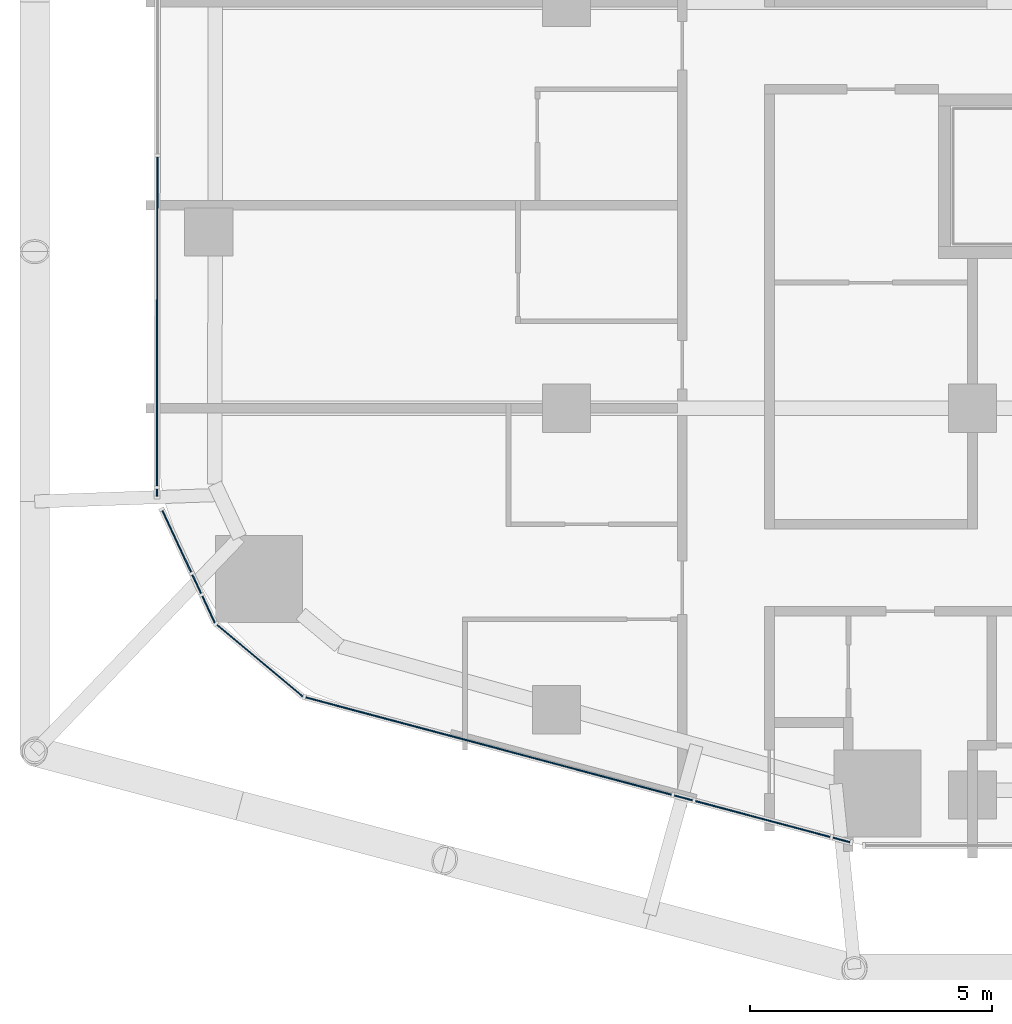
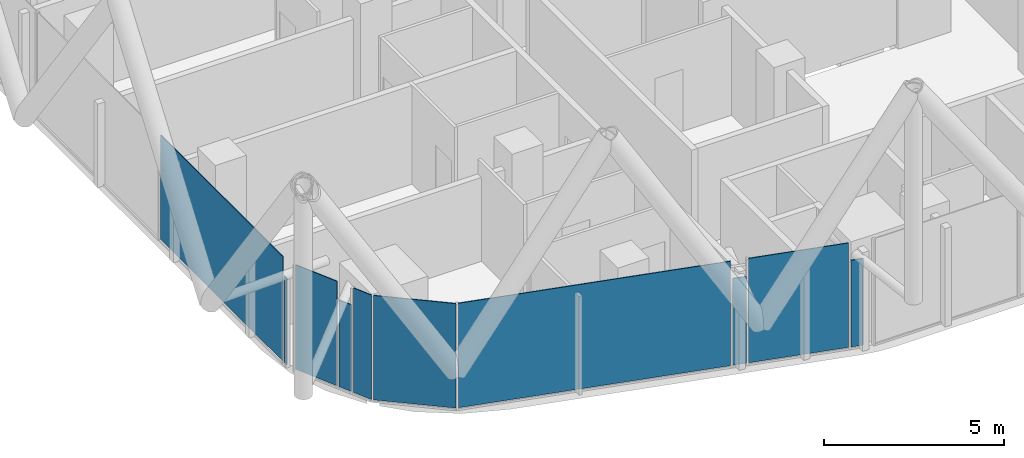
# One storey, part 19 of 38: 10 plates, 10 elements without a shape of their own.
"""IFC4 building model written with IfcOpenShell, lengths in metres."""

from ifc_helpers import new_model, si_unit, direction, frame, origin, origin_2d, place, context, subcontext, project, spatial, rectangle, extrude, material, layer, layer_set, type_object, element, aggregate, save


model = new_model("IFC4")

# Units and contexts
model_context = context("Model", 3, precision=1e-05, world=origin(), true_north=direction((0.0, 1.0)))
body_context = subcontext(model_context, "Body", "Model", "MODEL_VIEW")
ifc_project = project(units=[si_unit("LENGTHUNIT", "METRE"), si_unit("AREAUNIT", "SQUARE_METRE"), si_unit("VOLUMEUNIT", "CUBIC_METRE"), si_unit("PLANEANGLEUNIT", "RADIAN"), si_unit("MASSUNIT", "GRAM", prefix="KILO")], contexts=[model_context])

# Site, building, storey
site_placement = place(None, origin())
site = spatial("IfcSite", under=ifc_project, at=site_placement, CompositionType="ELEMENT")
building_placement = place(site_placement, origin())
building = spatial("IfcBuilding", under=site, at=building_placement, Name="Marenta Gate Hotel Tower", CompositionType="ELEMENT")
storey_placement = place(building_placement, frame((0.0, 0.0, 40.10009765625)))
storey = spatial("IfcBuildingStorey", under=building, at=storey_placement, Name="L07", CompositionType="ELEMENT", Elevation=40.10009765625)

# Curtain wall, plate
ifc_material_1 = material(Name="Tinted insulated glass in bronze anodised frame", Category="glass")
ifc_layer_1 = layer(ifc_material_1, 0.1201171875)
ifc_layer_set_1 = layer_set([ifc_layer_1], Name="Tinted insulated glass in bronze anodised frame")
curtain_wall_type = type_object("IfcCurtainWallType", Name="Tower unitised curtain wall CW1", PredefinedType="NOTDEFINED", material=ifc_layer_set_1)
curtain_wall_1_placement = place(storey_placement, origin())
curtain_wall_1 = element("IfcCurtainWall", 1, at=curtain_wall_1_placement, inside=storey, type_object=curtain_wall_type, Name="CW1 run G08", PredefinedType="NOTDEFINED")
ifc_material_2 = material(Name="Tinted insulated glass", Category="glass")
ifc_layer_2 = layer(ifc_material_2, 0.028076171875)
ifc_layer_set_2 = layer_set([ifc_layer_2], Name="Tinted insulated glass")
plate_type = type_object("IfcPlateType", Name="Glass panel CW1 28 mm tinted insulated unit", PredefinedType="CURTAIN_PANEL", material=ifc_layer_set_2)
plate_1_placement = place(storey_placement, frame((-29.467529296875, -6.60888671875, 0.059814453125), z_axis=(0.0, 0.0, 1.0), x_axis=(-0.00156461532, -0.999998775989, 0.0)))
plate_1 = element("IfcPlate", 2, at=plate_1_placement, type_object=plate_type, Name="CW1 panel 3.1", PredefinedType="CURTAIN_PANEL", context=body_context, shape_type="SweptSolid", body=[
    extrude(rectangle(XDim=6.80859375, YDim=0.028076171875, at=origin_2d()), origin(), (0.0, 0.0, 1.0), 3.5400390625),
])
aggregate(curtain_wall_1, [plate_1])

curtain_wall_2_placement = place(storey_placement, origin())
curtain_wall_2 = element("IfcCurtainWall", 3, at=curtain_wall_2_placement, inside=storey, type_object=curtain_wall_type, Name="CW1 run G09", PredefinedType="NOTDEFINED")
plate_2_placement = place(storey_placement, frame((-29.47314453125, -10.144775390625, 0.06005859375), z_axis=(0.0, 0.0, 1.0), x_axis=(-0.001523227487, -0.999998839888, 0.0)))
plate_2 = element("IfcPlate", 4, at=plate_2_placement, type_object=plate_type, Name="CW1 panel 1.1", PredefinedType="CURTAIN_PANEL", context=body_context, shape_type="SweptSolid", body=[
    extrude(rectangle(XDim=0.142578125, YDim=0.028076171875, at=origin_2d()), origin(), (0.0, 0.0, 1.0), 2.9404296875),
])
aggregate(curtain_wall_2, [plate_2])

curtain_wall_3_placement = place(storey_placement, origin())
curtain_wall_3 = element("IfcCurtainWall", 5, at=curtain_wall_3_placement, inside=storey, type_object=curtain_wall_type, Name="CW1 run G10", PredefinedType="NOTDEFINED")
plate_3_placement = place(storey_placement, frame((-29.0625, -11.15478515625, 0.059814453125), z_axis=(0.0, 0.0, 1.0), x_axis=(0.423374568314, -0.905954731156, 0.0)))
plate_3 = element("IfcPlate", 6, at=plate_3_placement, type_object=plate_type, Name="CW1 panel 1.1", PredefinedType="CURTAIN_PANEL", context=body_context, shape_type="SweptSolid", body=[
    extrude(rectangle(XDim=1.406005859375, YDim=0.028076171875, at=origin_2d()), origin(), (0.0, 0.0, 1.0), 3.5400390625),
])
aggregate(curtain_wall_3, [plate_3])

curtain_wall_4_placement = place(storey_placement, origin())
curtain_wall_4 = element("IfcCurtainWall", 7, at=curtain_wall_4_placement, inside=storey, type_object=curtain_wall_type, Name="CW1 run G11", PredefinedType="NOTDEFINED")
plate_4_placement = place(storey_placement, frame((-28.6494140625, -12.0390625, 0.06005859375), z_axis=(0.0, 0.0, 1.0), x_axis=(0.423268429691, -0.906004324729, 0.0)))
plate_4 = element("IfcPlate", 8, at=plate_4_placement, type_object=plate_type, Name="CW1 panel 1.1", PredefinedType="CURTAIN_PANEL", context=body_context, shape_type="SweptSolid", body=[
    extrude(rectangle(XDim=0.426025390625, YDim=0.028076171875, at=origin_2d()), origin(), (0.0, 0.0, 1.0), 2.9404296875),
])
aggregate(curtain_wall_4, [plate_4])

curtain_wall_5_placement = place(storey_placement, origin())
curtain_wall_5 = element("IfcCurtainWall", 9, at=curtain_wall_5_placement, inside=storey, type_object=curtain_wall_type, Name="CW1 run G12", PredefinedType="NOTDEFINED")
plate_5_placement = place(storey_placement, frame((-28.404052734375, -12.564208984375, 0.059814453125), z_axis=(0.0, 0.0, 1.0), x_axis=(0.423397949235, -0.905943804319, 0.0)))
plate_5 = element("IfcPlate", 10, at=plate_5_placement, type_object=plate_type, Name="CW1 panel 1.1", PredefinedType="CURTAIN_PANEL", context=body_context, shape_type="SweptSolid", body=[
    extrude(rectangle(XDim=0.61279296875, YDim=0.028076171875, at=origin_2d()), origin(), (0.0, 0.0, 1.0), 3.5400390625),
])
aggregate(curtain_wall_5, [plate_5])

curtain_wall_6_placement = place(storey_placement, origin())
curtain_wall_6 = element("IfcCurtainWall", 11, at=curtain_wall_6_placement, inside=storey, type_object=curtain_wall_type, Name="CW1 run G13", PredefinedType="NOTDEFINED")
plate_6_placement = place(storey_placement, frame((-27.33984375, -13.623291015625, 0.059814453125), z_axis=(0.0, 0.0, 1.0), x_axis=(0.767113012445, -0.641511984407, 0.0)))
plate_6 = element("IfcPlate", 12, at=plate_6_placement, type_object=plate_type, Name="CW1 panel 1.1", PredefinedType="CURTAIN_PANEL", context=body_context, shape_type="SweptSolid", body=[
    extrude(rectangle(XDim=2.316650390625, YDim=0.028076171875, at=origin_2d()), origin(), (0.0, 0.0, 1.0), 3.5400390625),
])
aggregate(curtain_wall_6, [plate_6])

curtain_wall_7_placement = place(storey_placement, origin())
curtain_wall_7 = element("IfcCurtainWall", 13, at=curtain_wall_7_placement, inside=storey, type_object=curtain_wall_type, Name="CW1 run G14", PredefinedType="NOTDEFINED")
plate_7_placement = place(storey_placement, frame((-22.60986328125, -15.388427734375, 0.059814453125), z_axis=(0.0, 0.0, 1.0), x_axis=(0.96637300589, -0.257144343682, 0.0)))
plate_7 = element("IfcPlate", 14, at=plate_7_placement, type_object=plate_type, Name="CW1 panel 1.1", PredefinedType="CURTAIN_PANEL", context=body_context, shape_type="SweptSolid", body=[
    extrude(rectangle(XDim=7.830078125, YDim=0.028076171875, at=origin_2d()), origin(), (0.0, 0.0, 1.0), 3.5400390625),
])
aggregate(curtain_wall_7, [plate_7])

curtain_wall_8_placement = place(storey_placement, origin())
curtain_wall_8 = element("IfcCurtainWall", 15, at=curtain_wall_8_placement, inside=storey, type_object=curtain_wall_type, Name="CW1 run G15", PredefinedType="NOTDEFINED")
plate_8_placement = place(storey_placement, frame((-18.57861328125, -16.461181640625, 0.06005859375), z_axis=(0.0, 0.0, 1.0), x_axis=(0.966370359942, -0.257154287199, 0.0)))
plate_8 = element("IfcPlate", 16, at=plate_8_placement, type_object=plate_type, Name="CW1 panel 1.1", PredefinedType="CURTAIN_PANEL", context=body_context, shape_type="SweptSolid", body=[
    extrude(rectangle(XDim=0.39306640625, YDim=0.028076171875, at=origin_2d()), origin(), (0.0, 0.0, 1.0), 2.9404296875),
])
aggregate(curtain_wall_8, [plate_8])

curtain_wall_9_placement = place(storey_placement, origin())
curtain_wall_9 = element("IfcCurtainWall", 17, at=curtain_wall_9_placement, inside=storey, type_object=curtain_wall_type, Name="CW1 run G16", PredefinedType="NOTDEFINED")
plate_9_placement = place(storey_placement, frame((-16.937255859375, -16.89794921875, 0.059814453125), z_axis=(0.0, 0.0, 1.0), x_axis=(0.966375739081, -0.257134071867, 0.0)))
plate_9 = element("IfcPlate", 18, at=plate_9_placement, type_object=plate_type, Name="CW1 panel 1.1", PredefinedType="CURTAIN_PANEL", context=body_context, shape_type="SweptSolid", body=[
    extrude(rectangle(XDim=2.884033203125, YDim=0.028076171875, at=origin_2d()), origin(), (0.0, 0.0, 1.0), 3.5400390625),
])
aggregate(curtain_wall_9, [plate_9])

curtain_wall_10_placement = place(storey_placement, origin())
curtain_wall_10 = element("IfcCurtainWall", 19, at=curtain_wall_10_placement, inside=storey, type_object=curtain_wall_type, Name="CW1 run G17", PredefinedType="NOTDEFINED")
plate_10_placement = place(storey_placement, frame((-15.309814453125, -17.3310546875, 0.06005859375), z_axis=(0.0, 0.0, 1.0), x_axis=(0.966388993927, -0.257084251591, 0.0)))
plate_10 = element("IfcPlate", 20, at=plate_10_placement, type_object=plate_type, Name="CW1 panel 1.1", PredefinedType="CURTAIN_PANEL", context=body_context, shape_type="SweptSolid", body=[
    extrude(rectangle(XDim=0.3642578125, YDim=0.028076171875, at=origin_2d()), origin(), (0.0, 0.0, 1.0), 2.9404296875),
])
aggregate(curtain_wall_10, [plate_10])

save(model, "model.ifc")
